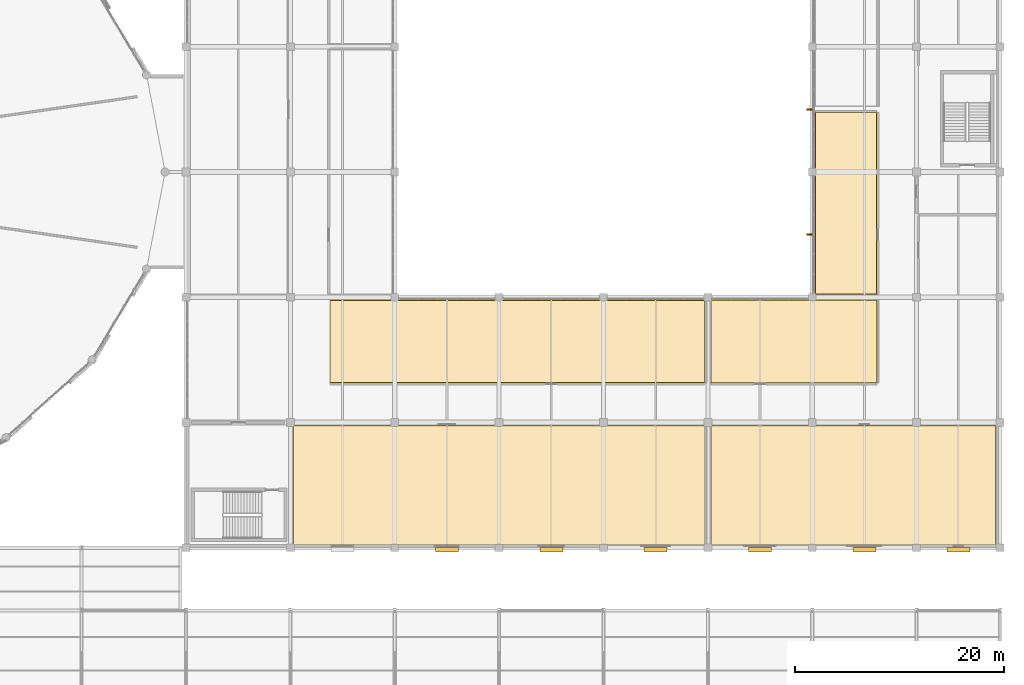
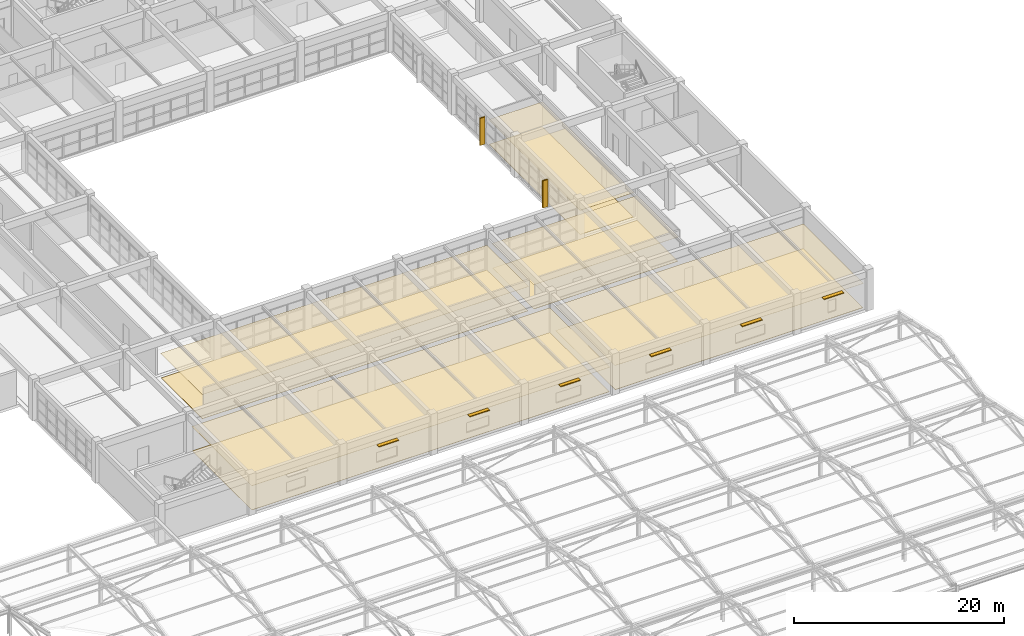
# One storey, part 105 of 109: 10 coverings, 8 shading devices.
"""IFC4 building model written with IfcOpenShell, lengths in metres."""

import ifcopenshell
import ifcopenshell.guid

model = None  # the IFC model being written
_history = None  # IfcOwnerHistory: only IFC2X3 demands one
_inside = {}  # id of a spatial element -> (the spatial element, [elements in it])
_under = {}  # id of a project, library or spatial element -> (it, [spatial elements below it])
_declared = {}  # id of a project -> (the project, [libraries it declares])
_typed = {}  # id of a type object -> (the type object, [elements of that type])
_made_of = {}  # id of a material, layer set ... -> (it, [elements and type objects made of it])


def new_model(schema):
    """Start an empty IFC model of exactly this schema.

    Asked for "IFC4X3", IfcOpenShell would pick the latest addendum, in which some entities
    have other attributes; the version numbers below select the first issue.
    IFC2X3 requires an IfcOwnerHistory on every rooted entity: one is made here for all.
    """
    global model, _history
    if schema == "IFC4X3":
        model = ifcopenshell.file(schema_version=(4, 3, 0, 0))
    else:
        model = ifcopenshell.file(schema=schema)
    _inside.clear()
    _under.clear()
    _declared.clear()
    _typed.clear()
    _made_of.clear()
    _history = None
    if model.schema == "IFC2X3":
        org = make("IfcOrganization", Name="unknown")
        user = make(
            "IfcPersonAndOrganization",
            ThePerson=make("IfcPerson", FamilyName="unknown"),
            TheOrganization=org,
        )
        app = make(
            "IfcApplication",
            ApplicationDeveloper=org,
            Version="unknown",
            ApplicationFullName="unknown",
            ApplicationIdentifier="unknown",
        )
        _history = make(
            "IfcOwnerHistory",
            OwningUser=user,
            OwningApplication=app,
            ChangeAction="ADDED",
            CreationDate=0,
        )
    return model


def make(cls, **values):
    """One entity of the class cls with the attributes given. An attribute that is None is left unset."""
    return model.create_entity(
        cls, **{name: value for name, value in values.items() if value is not None}
    )


def rooted(cls, **values):
    """An entity with a GlobalId (a new one), such as an element, a storey or a relation."""
    return make(cls, GlobalId=ifcopenshell.guid.new(), OwnerHistory=_history, **values)


def si_unit(unit_type, name, prefix=None):
    """IfcSIUnit, for example si_unit("LENGTHUNIT", "METRE", prefix="MILLI")."""
    return make("IfcSIUnit", UnitType=unit_type, Prefix=prefix, Name=name)


def assignment(units):
    """IfcUnitAssignment: the units of a project."""
    return None if units is None else make("IfcUnitAssignment", Units=units)


def point(xyz):
    """IfcCartesianPoint."""
    return None if xyz is None else make("IfcCartesianPoint", Coordinates=xyz)


def direction(xyz):
    """IfcDirection."""
    return None if xyz is None else make("IfcDirection", DirectionRatios=xyz)


def frame(location, z_axis=None, x_axis=None):
    """IfcAxis2Placement3D, a coordinate frame: its origin and axes. An axis left out is left unset."""
    return make(
        "IfcAxis2Placement3D",
        Location=point(location),
        Axis=direction(z_axis),
        RefDirection=direction(x_axis),
    )


def frame_2d(location, x_axis=None):
    """IfcAxis2Placement2D, a coordinate frame in the plane: its origin and x axis."""
    return make(
        "IfcAxis2Placement2D", Location=point(location), RefDirection=direction(x_axis)
    )


def origin():
    """The frame at (0, 0, 0) with its axes left unset."""
    return frame((0.0, 0.0, 0.0))


def origin_2d():
    """The frame at (0, 0) in the plane with its x axis left unset."""
    return frame_2d((0.0, 0.0))


def place(relative_to, where):
    """IfcLocalPlacement: puts the frame where relative to a parent placement (None: the world)."""
    return make(
        "IfcLocalPlacement", PlacementRelTo=relative_to, RelativePlacement=where
    )


def context(
    kind, dimensions, precision=None, world=None, true_north=None, identifier=None
):
    """IfcGeometricRepresentationContext, for example the 3D "Model" context."""
    return make(
        "IfcGeometricRepresentationContext",
        ContextIdentifier=identifier,
        ContextType=kind,
        CoordinateSpaceDimension=dimensions,
        Precision=precision,
        WorldCoordinateSystem=world,
        TrueNorth=true_north,
    )


def subcontext(parent, identifier, kind, view, scale=None):
    """IfcGeometricRepresentationSubContext, for example "Body" below "Model"."""
    return make(
        "IfcGeometricRepresentationSubContext",
        ContextIdentifier=identifier,
        ContextType=kind,
        ParentContext=parent,
        TargetScale=scale,
        TargetView=view,
    )


def project(units=None, contexts=None):
    """IfcProject with its units and contexts."""
    return rooted(
        "IfcProject",
        Name="project",
        RepresentationContexts=contexts,
        UnitsInContext=assignment(units),
    )


def spatial(cls, under=None, at=None, **own):
    """A site, building, storey or space (cls), placed at a placement, below another one or the project."""
    s = rooted(cls, ObjectPlacement=at, **own)
    if under is not None:
        _under.setdefault(under.id(), (under, []))[1].append(s)
    return s


def polyline(points):
    """IfcPolyline through the points."""
    return make("IfcPolyline", Points=[point(p) for p in points])


def profile(cls, at=None, kind="AREA", **sizes):
    """A parametric profile (cls). Its sizes go by their IFC names, for example OverallWidth=200.0."""
    return make(cls, ProfileType=kind, Position=at, **sizes)


def rectangle(**sizes):
    """IfcRectangleProfileDef."""
    return profile("IfcRectangleProfileDef", **sizes)


def outline(outer, holes=None, kind="AREA"):
    """IfcArbitraryClosedProfileDef: a profile drawn as a closed curve; with holes, ...WithVoids."""
    if holes is None:
        return make("IfcArbitraryClosedProfileDef", ProfileType=kind, OuterCurve=outer)
    return make(
        "IfcArbitraryProfileDefWithVoids",
        ProfileType=kind,
        OuterCurve=outer,
        InnerCurves=holes,
    )


def extrude(swept, where, along, depth):
    """IfcExtrudedAreaSolid: the profile swept, set in the frame where, extruded along a direction by depth."""
    return make(
        "IfcExtrudedAreaSolid",
        SweptArea=swept,
        Position=where,
        ExtrudedDirection=direction(along),
        Depth=depth,
    )


def shape(context_of_items, identifier, shape_type, items):
    """IfcShapeRepresentation: the items that make up one representation, for example the "Body"."""
    return make(
        "IfcShapeRepresentation",
        ContextOfItems=context_of_items,
        RepresentationIdentifier=identifier,
        RepresentationType=shape_type,
        Items=items,
    )


def material(Name=None, Category=None):
    """IfcMaterial."""
    return make("IfcMaterial", Name=Name, Category=Category)


def layer(
    of_material, thickness, ventilated=None, Name=None, Category=None, Priority=None
):
    """IfcMaterialLayer: one layer of a wall or slab, of a material (None: an air gap)."""
    return make(
        "IfcMaterialLayer",
        Material=of_material,
        LayerThickness=thickness,
        IsVentilated=ventilated,
        Name=Name,
        Category=Category,
        Priority=Priority,
    )


def layer_set(layers, Name=None):
    """IfcMaterialLayerSet."""
    return make("IfcMaterialLayerSet", MaterialLayers=layers, LayerSetName=Name)


def made_of(thing, what):
    """Note that an element or type object is made of a material, layer set ...; save() writes the relation."""
    if what is not None:
        _made_of.setdefault(what.id(), (what, []))[1].append(thing)
    return thing


def type_object(cls, material=None, **own):
    """A type object (cls), such as IfcWallType, which elements share."""
    return made_of(rooted(cls, **own), material)


def element(
    cls,
    number,
    at=None,
    inside=None,
    cuts=None,
    type_object=None,
    material=None,
    context=None,
    identifier="Body",
    shape_type=None,
    held_by="IfcProductDefinitionShape",
    body=None,
    shapes=None,
    **own,
):
    """One element of the class cls, such as IfcWall. Its Tag is "e" and its number.

    at: its placement. inside: the storey or other place that contains it. cuts: it is an
    opening in that element (IfcRelVoidsElement). A single representation is given by context,
    identifier, shape_type and body (its items); several are given by shapes. held_by: the class
    of the entity that holds the representations. save() writes the other relations.
    """
    e = rooted(cls, Tag="e%d" % number, ObjectPlacement=at, **own)
    if body is not None:
        shapes = [shape(context, identifier, shape_type, body)]
    if shapes is not None:
        e.Representation = make(held_by, Representations=shapes)
    if inside is not None:
        _inside.setdefault(inside.id(), (inside, []))[1].append(e)
    if cuts is not None:
        rooted(
            "IfcRelVoidsElement", RelatingBuildingElement=cuts, RelatedOpeningElement=e
        )
    if type_object is not None:
        _typed.setdefault(type_object.id(), (type_object, []))[1].append(e)
    return made_of(e, material)


def aggregate(whole, parts):
    """IfcRelAggregates: a whole, such as a stair, and the parts it consists of."""
    return rooted("IfcRelAggregates", RelatingObject=whole, RelatedObjects=parts)


def save(model, path):
    """Write the relations noted so far, then the file.

    IfcRelAggregates (storeys below a building ...), IfcRelContainedInSpatialStructure (elements
    in a storey), IfcRelDefinesByType, IfcRelAssociatesMaterial and IfcRelDeclares: one each for
    every whole, place, type object, material and project.
    """
    for whole, parts in _under.values():
        aggregate(whole, parts)
    for where, things in _inside.values():
        rooted(
            "IfcRelContainedInSpatialStructure",
            RelatedElements=things,
            RelatingStructure=where,
        )
    for kind, things in _typed.values():
        rooted("IfcRelDefinesByType", RelatedObjects=things, RelatingType=kind)
    for what, things in _made_of.values():
        rooted("IfcRelAssociatesMaterial", RelatedObjects=things, RelatingMaterial=what)
    for by, libraries in _declared.values():
        rooted("IfcRelDeclares", RelatingContext=by, RelatedDefinitions=libraries)
    model.write(path)


model = new_model("IFC4")

# Units and contexts
model_context = context("Model", 3, precision=1e-05, world=origin(), true_north=direction((0.0, 1.0)))
body_context = subcontext(model_context, "Body", "Model", "MODEL_VIEW")
ifc_project = project(units=[si_unit("LENGTHUNIT", "METRE"), si_unit("AREAUNIT", "SQUARE_METRE"), si_unit("VOLUMEUNIT", "CUBIC_METRE"), si_unit("PLANEANGLEUNIT", "RADIAN"), si_unit("MASSUNIT", "GRAM", prefix="KILO")], contexts=[model_context])

# Site, building, storey
site_placement = place(None, origin())
site = spatial("IfcSite", under=ifc_project, at=site_placement, CompositionType="ELEMENT")
building_placement = place(site_placement, origin())
building = spatial("IfcBuilding", under=site, at=building_placement, Name="Kivolera Central Railway Station", CompositionType="ELEMENT")
storey_placement = place(building_placement, frame((0.0, 0.0, 9.60009765625)))
storey = spatial("IfcBuildingStorey", under=building, at=storey_placement, Name="L02", CompositionType="ELEMENT", Elevation=9.60009765625)

# Shading devices
ifc_material_1 = material(Name="Precast concrete C40/50", Category="concrete")
shading_device_type_1 = type_object("IfcShadingDeviceType", Name="BS-FIN-CRT", PredefinedType="USERDEFINED", material=ifc_material_1)
for number, where, z_axis, x_axis, name in (
    (1, (177.735107421875, 84.0, 0.0), (0.0, 0.0, 1.0), (1.0, 0.0, 0.0), "L02 Courtyard East Solar Brise-Soleil Fin G"),
    (2, (177.735107421875, 96.0, 0.0), (0.0, 0.0, 1.0), (1.0, 0.0, 0.0), "L02 Courtyard East Solar Brise-Soleil Fin H"),
):
    element("IfcShadingDevice", number, at=place(storey_placement, frame(where, z_axis=z_axis, x_axis=x_axis)), inside=storey, type_object=shading_device_type_1, Name=name, ObjectType="FIN", PredefinedType="USERDEFINED", context=body_context, shape_type="SweptSolid", body=[
        extrude(rectangle(XDim=0.550048828125, YDim=0.139892578125, at=origin_2d()), origin(), (0.0, 0.0, 1.0), 3.14990234375),
    ])
ifc_material_2 = material(Name="Anodised aluminium", Category="aluminium")
ifc_layer_1 = layer(ifc_material_2, 0.080078125, Name="Anodised aluminium")
ifc_layer_set_1 = layer_set([ifc_layer_1], Name="Anodised aluminium")
shading_device_type_2 = type_object("IfcShadingDeviceType", Name="BS-LVR-B", PredefinedType="JALOUSIE", material=ifc_layer_set_1)
for number, where, z_axis, x_axis, name in (
    (3, (143.0, 53.80810546875, 3.009765625), (0.0, 0.0, 1.0), (1.0, 0.0, 0.0), "L02 South Monsoon Window Sun-Louvre 138"),
    (4, (153.0, 53.80810546875, 3.009765625), (0.0, 0.0, 1.0), (1.0, 0.0, 0.0), "L02 South Monsoon Window Sun-Louvre 148"),
    (5, (163.0, 53.80810546875, 3.009765625), (0.0, 0.0, 1.0), (1.0, 0.0, 0.0), "L02 South Monsoon Window Sun-Louvre 158"),
    (6, (173.0, 53.80810546875, 3.009765625), (0.0, 0.0, 1.0), (1.0, 0.0, 0.0), "L02 South Monsoon Window Sun-Louvre 168"),
    (7, (183.0, 53.80810546875, 3.009765625), (0.0, 0.0, 1.0), (1.0, 0.0, 0.0), "L02 South Monsoon Window Sun-Louvre 178"),
    (8, (192.0, 53.80810546875, 3.009765625), (0.0, 0.0, 1.0), (1.0, 0.0, 0.0), "L02 South Monsoon Window Sun-Louvre 188"),
):
    element("IfcShadingDevice", number, at=place(storey_placement, frame(where, z_axis=z_axis, x_axis=x_axis)), inside=storey, type_object=shading_device_type_2, Name=name, PredefinedType="JALOUSIE", context=body_context, shape_type="SweptSolid", body=[
        extrude(rectangle(XDim=2.199951171875, YDim=0.39990234375, at=origin_2d()), origin(), (0.0, 0.0, 1.0), 0.080078125),
    ])

# Coverings
ifc_material_3 = material(Name="Mineral fibre acoustic tile")
ifc_layer_2 = layer(ifc_material_3, 0.02001953125, Name="Mineral fibre acoustic tile")
ifc_layer_set_2 = layer_set([ifc_layer_2], Name="Mineral fibre acoustic tile")
covering_type_1 = type_object("IfcCoveringType", Name="COV-CEIL-20", PredefinedType="CEILING", material=ifc_layer_set_2)
covering_1_placement = place(storey_placement, frame((0.0, 0.0, 2.849853515625)))
element("IfcCovering", 9, at=covering_1_placement, inside=storey, type_object=covering_type_1, Name="L02 Public Sleeper Passenger Lounge and Shower Suite Acoustic Ceiling", PredefinedType="CEILING", context=body_context, shape_type="SweptSolid", body=[
    extrude(outline(polyline([(168.280029296875, 54.280029296875), (195.6201171875, 54.280029296875), (195.6201171875, 65.719970703125), (168.280029296875, 65.719970703125), (168.280029296875, 54.280029296875)])), origin(), (0.0, 0.0, 1.0), 0.02001953125),
])
ifc_material_4 = material(Name="Hardwood mvule timber", Category="wood")
ifc_layer_3 = layer(ifc_material_4, 0.02490234375, Name="Hardwood mvule timber")
ifc_layer_set_3 = layer_set([ifc_layer_3], Name="Hardwood mvule timber")
covering_type_2 = type_object("IfcCoveringType", Name="COV-CEIL-25", PredefinedType="CEILING", material=ifc_layer_set_3)
covering_2_placement = place(storey_placement, frame((0.0, 0.0, 2.849853515625)))
element("IfcCovering", 10, at=covering_2_placement, inside=storey, type_object=covering_type_2, Name="L02 Multi-Faith Quiet Reflection Room Acoustic Ceiling", PredefinedType="CEILING", context=body_context, shape_type="SweptSolid", body=[
    extrude(outline(polyline([(178.280029296875, 78.280029296875), (184.219970703125, 78.280029296875), (184.219970703125, 95.719970703125), (178.280029296875, 95.719970703125), (178.280029296875, 78.280029296875)])), origin(), (0.0, 0.0, 1.0), 0.025146484375),
])
covering_3_placement = place(storey_placement, frame((0.0, 0.0, 2.849853515625)))
element("IfcCovering", 11, at=covering_3_placement, inside=storey, type_object=covering_type_2, Name="L02 Duty-Free Regional Travel Shop Acoustic Ceiling", PredefinedType="CEILING", context=body_context, shape_type="SweptSolid", body=[
    extrude(outline(polyline([(131.780029296875, 69.780029296875), (167.719970703125, 69.780029296875), (167.719970703125, 77.719970703125), (131.780029296875, 77.719970703125), (131.780029296875, 69.780029296875)])), origin(), (0.0, 0.0, 1.0), 0.025146484375),
])
ifc_layer_4 = layer(ifc_material_3, 0.030029296875, Name="Mineral fibre acoustic tile")
ifc_layer_set_4 = layer_set([ifc_layer_4], Name="Mineral fibre acoustic tile")
covering_type_3 = type_object("IfcCoveringType", Name="COV-CEIL-30", PredefinedType="CEILING", material=ifc_layer_set_4)
covering_4_placement = place(storey_placement, frame((0.0, 0.0, 2.849853515625)))
element("IfcCovering", 12, at=covering_4_placement, inside=storey, type_object=covering_type_3, Name="L02 Intercity Sleeper Lounge Acoustic Ceiling", PredefinedType="CEILING", context=body_context, shape_type="SweptSolid", body=[
    extrude(outline(polyline([(128.280029296875, 54.280029296875), (167.719970703125, 54.280029296875), (167.719970703125, 65.719970703125), (128.280029296875, 65.719970703125), (128.280029296875, 54.280029296875)])), origin(), (0.0, 0.0, 1.0), 0.030029296875),
])
covering_5_placement = place(storey_placement, frame((0.0, 0.0, 2.849853515625)))
element("IfcCovering", 13, at=covering_5_placement, inside=storey, type_object=covering_type_3, Name="L02 Luggage Goods Boutique Shop Acoustic Ceiling", PredefinedType="CEILING", context=body_context, shape_type="SweptSolid", body=[
    extrude(outline(polyline([(168.280029296875, 69.780029296875), (184.219970703125, 69.780029296875), (184.219970703125, 77.719970703125), (168.280029296875, 77.719970703125), (168.280029296875, 69.780029296875)])), origin(), (0.0, 0.0, 1.0), 0.030029296875),
])
ifc_material_5 = material(Name="Swahili coral limestone", Category="masonry")
ifc_layer_5 = layer(ifc_material_5, 0.030029296875, Name="Swahili coral limestone")
ifc_layer_set_5 = layer_set([ifc_layer_5], Name="Swahili coral limestone")
covering_type_4 = type_object("IfcCoveringType", Name="COV-FLR-30", PredefinedType="FLOORING", material=ifc_layer_set_5)
covering_6_placement = place(storey_placement, origin())
element("IfcCovering", 14, at=covering_6_placement, inside=storey, type_object=covering_type_4, Name="L02 Multi-Faith Quiet Reflection Room Floor Finish", PredefinedType="FLOORING", context=body_context, shape_type="SweptSolid", body=[
    extrude(outline(polyline([(178.320068359375, 78.320068359375), (184.179931640625, 78.320068359375), (184.179931640625, 95.679931640625), (178.320068359375, 95.679931640625), (178.320068359375, 78.320068359375)])), origin(), (0.0, 0.0, 1.0), 0.02978515625),
])
covering_7_placement = place(storey_placement, origin())
element("IfcCovering", 15, at=covering_7_placement, inside=storey, type_object=covering_type_4, Name="L02 Intercity Sleeper Lounge Floor Finish", PredefinedType="FLOORING", context=body_context, shape_type="SweptSolid", body=[
    extrude(outline(polyline([(128.320068359375, 54.320068359375), (167.679931640625, 54.320068359375), (167.679931640625, 65.679931640625), (128.320068359375, 65.679931640625), (128.320068359375, 54.320068359375)])), origin(), (0.0, 0.0, 1.0), 0.02978515625),
])
covering_8_placement = place(storey_placement, origin())
element("IfcCovering", 16, at=covering_8_placement, inside=storey, type_object=covering_type_4, Name="L02 Public Sleeper Passenger Lounge and Shower Suite Floor Finish", PredefinedType="FLOORING", context=body_context, shape_type="SweptSolid", body=[
    extrude(outline(polyline([(168.320068359375, 54.320068359375), (195.580078125, 54.320068359375), (195.580078125, 65.679931640625), (168.320068359375, 65.679931640625), (168.320068359375, 54.320068359375)])), origin(), (0.0, 0.0, 1.0), 0.02978515625),
])
covering_9_placement = place(storey_placement, origin())
element("IfcCovering", 17, at=covering_9_placement, inside=storey, type_object=covering_type_4, Name="L02 Duty-Free Regional Travel Shop Floor Finish", PredefinedType="FLOORING", context=body_context, shape_type="SweptSolid", body=[
    extrude(outline(polyline([(131.820068359375, 69.820068359375), (167.679931640625, 69.820068359375), (167.679931640625, 77.679931640625), (131.820068359375, 77.679931640625), (131.820068359375, 69.820068359375)])), origin(), (0.0, 0.0, 1.0), 0.02978515625),
])
covering_10_placement = place(storey_placement, origin())
element("IfcCovering", 18, at=covering_10_placement, inside=storey, type_object=covering_type_4, Name="L02 Luggage Goods Boutique Shop Floor Finish", PredefinedType="FLOORING", context=body_context, shape_type="SweptSolid", body=[
    extrude(outline(polyline([(168.320068359375, 69.820068359375), (184.179931640625, 69.820068359375), (184.179931640625, 77.679931640625), (168.320068359375, 77.679931640625), (168.320068359375, 69.820068359375)])), origin(), (0.0, 0.0, 1.0), 0.02978515625),
])

save(model, "model.ifc")
